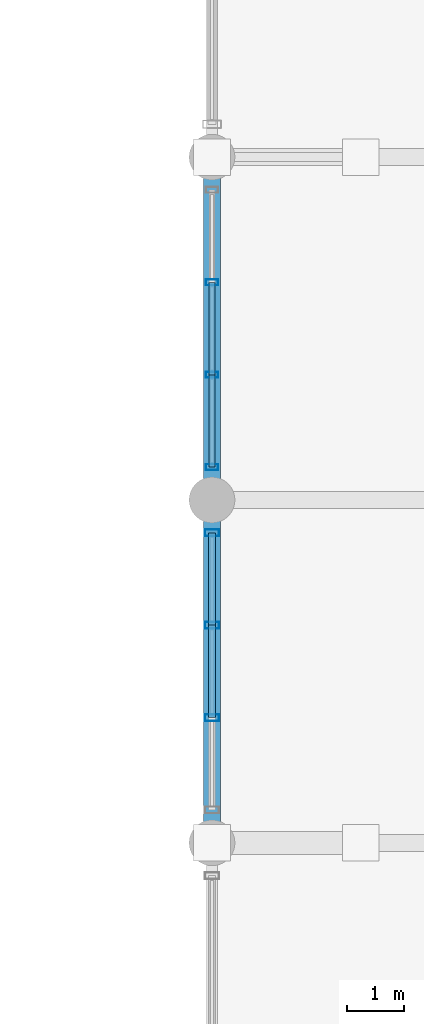
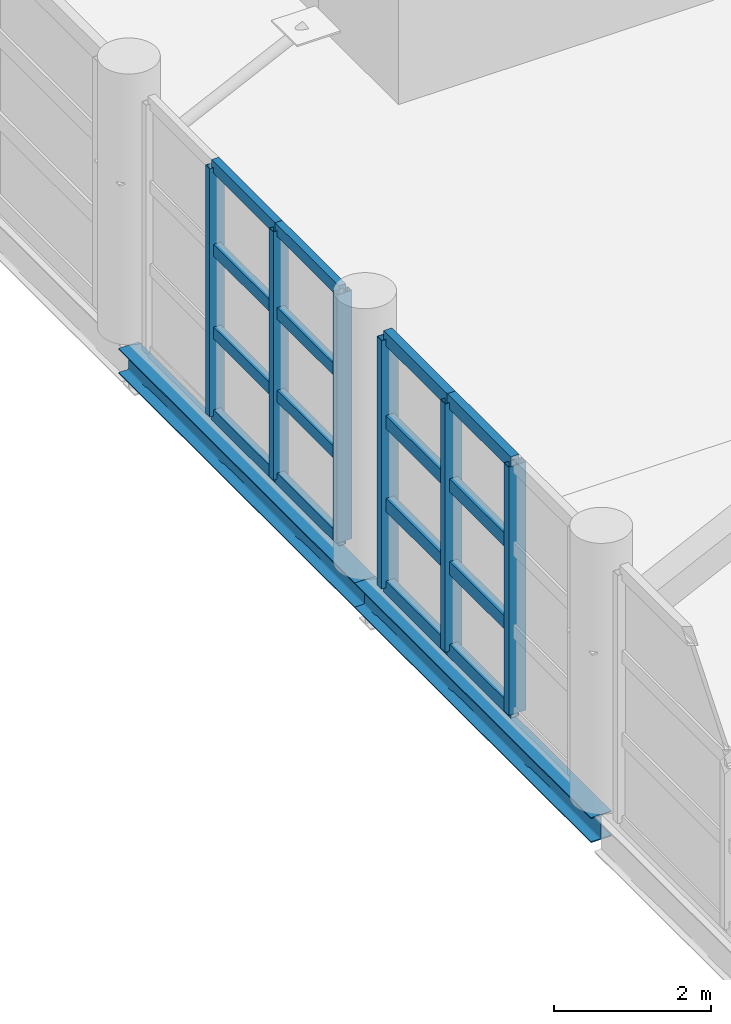
# One storey, part 12 of 136: 22 members, 2 beams, 2 elements without a shape of their own.
"""IFC4 building model written with IfcOpenShell, lengths in metres."""

from ifc_helpers import new_model, si_unit, direction, frame, origin, origin_2d, place, context, subcontext, project, spatial, hollow_rectangle, i_section, extrude, material, material_profile, profile_set, type_object, element, aggregate, save


model = new_model("IFC4")

# Units and contexts
model_context = context("Model", 3, precision=1e-05, world=origin(), true_north=direction((0.0, 1.0)))
body_context = subcontext(model_context, "Body", "Model", "MODEL_VIEW")
ifc_project = project(units=[si_unit("LENGTHUNIT", "METRE"), si_unit("AREAUNIT", "SQUARE_METRE"), si_unit("VOLUMEUNIT", "CUBIC_METRE"), si_unit("PLANEANGLEUNIT", "RADIAN"), si_unit("MASSUNIT", "GRAM", prefix="KILO")], contexts=[model_context])

# Site, building, storey
site_placement = place(None, origin())
site = spatial("IfcSite", under=ifc_project, at=site_placement, CompositionType="ELEMENT")
building_placement = place(site_placement, origin())
building = spatial("IfcBuilding", under=site, at=building_placement, Name="Chuanluo Vaults Station", CompositionType="ELEMENT")
storey_placement = place(building_placement, frame((0.0, 0.0, 6.60009765625)))
storey = spatial("IfcBuildingStorey", under=building, at=storey_placement, Name="L01", CompositionType="ELEMENT", Elevation=6.60009765625)

# Beams
ifc_material_1 = material(Name="Steel Q355C", Category="steel")
ifc_material_profile_1 = material_profile(ifc_material_1, i_section(OverallWidth=0.300048828125, OverallDepth=0.389892578125, WebThickness=0.010009765625, FlangeThickness=0.01611328125, FilletRadius=0.02001953125, at=origin_2d()))
ifc_profile_set_1 = profile_set([ifc_material_profile_1], Name="Steel Q355C")
beam_type = type_object("IfcBeamType", Name="BM-GRD-400", PredefinedType="BEAM", material=ifc_profile_set_1)
for number, where, z_axis, x_axis, name in (
    (1, (18.0, 30.0, -0.47509765625), (0.0, 1.0, 0.0), (-1.0, 0.0, 0.0), "Floor girder BM:GY:L01:0413"),
    (2, (18.0, 36.0, -0.47509765625), (0.0, 1.0, 0.0), (-1.0, 0.0, 0.0), "Floor girder BM:GY:L01:0414"),
):
    element("IfcBeam", number, at=place(storey_placement, frame(where, z_axis=z_axis, x_axis=x_axis)), inside=storey, type_object=beam_type, Name=name, PredefinedType="BEAM", context=body_context, shape_type="SweptSolid", body=[
        extrude(i_section(OverallWidth=0.300048828125, OverallDepth=0.389892578125, WebThickness=0.010009765625, FlangeThickness=0.01611328125, FilletRadius=0.02001953125, at=origin_2d()), origin(), (0.0, 0.0, 1.0), 6.0),
    ])

# Curtain wall, members
ifc_material_2 = material(Name="Anodised aluminium 6063-T6", Category="aluminium")
curtain_wall_type_1 = type_object("IfcCurtainWallType", Name="CW-SYS-04", PredefinedType="NOTDEFINED", material=ifc_material_2)
curtain_wall_1_placement = place(storey_placement, origin())
curtain_wall_1 = element("IfcCurtainWall", 3, at=curtain_wall_1_placement, inside=storey, type_object=curtain_wall_type_1, Name="Concourse west curtain wall 30 part 2", PredefinedType="NOTDEFINED")
ifc_material_3 = material(Name="Anodised aluminium 6063-T6", Category="aluminium")
ifc_material_profile_2 = material_profile(ifc_material_3, hollow_rectangle(XDim=0.10498046875, YDim=0.219970703125, WallThickness=0.006103515625, at=origin_2d()))
ifc_profile_set_2 = profile_set([ifc_material_profile_2], Name="Anodised aluminium 6063-T6")
member_type_1 = type_object("IfcMemberType", Name="CWM-140", PredefinedType="MULLION", material=ifc_profile_set_2)
member_1_placement = place(storey_placement, frame((18.0, 36.574951171875, 0.0), z_axis=(0.0, 0.0, 1.0), x_axis=(0.0, 1.0, 0.0)))
member_1 = element("IfcMember", 4, at=member_1_placement, type_object=member_type_1, Name="Concourse west curtain wall 30 part 2 mullion 1", PredefinedType="MULLION", context=body_context, shape_type="SweptSolid", body=[
    extrude(hollow_rectangle(XDim=0.10498046875, YDim=0.219970703125, WallThickness=0.006103515625, at=origin_2d()), origin(), (0.0, 0.0, 1.0), 3.849853515625),
])
member_2_placement = place(storey_placement, frame((18.0, 38.191650390625, 0.0), z_axis=(0.0, 0.0, 1.0), x_axis=(0.0, 1.0, 0.0)))
member_2 = element("IfcMember", 5, at=member_2_placement, type_object=member_type_1, Name="Concourse west curtain wall 30 part 2 mullion 2", PredefinedType="MULLION", context=body_context, shape_type="SweptSolid", body=[
    extrude(hollow_rectangle(XDim=0.10498046875, YDim=0.219970703125, WallThickness=0.006103515625, at=origin_2d()), origin(), (0.0, 0.0, 1.0), 3.849853515625),
])
member_3_placement = place(storey_placement, frame((18.0, 39.808349609375, 0.0), z_axis=(0.0, 0.0, 1.0), x_axis=(0.0, 1.0, 0.0)))
member_3 = element("IfcMember", 6, at=member_3_placement, type_object=member_type_1, Name="Concourse west curtain wall 30 part 2 mullion 3", PredefinedType="MULLION", context=body_context, shape_type="SweptSolid", body=[
    extrude(hollow_rectangle(XDim=0.10498046875, YDim=0.219970703125, WallThickness=0.006103515625, at=origin_2d()), origin(), (0.0, 0.0, 1.0), 3.849853515625),
])

ifc_material_4 = material(Name="Anodised aluminium 6063-T6", Category="aluminium")
curtain_wall_type_2 = type_object("IfcCurtainWallType", Name="CW-SYS-03", PredefinedType="NOTDEFINED", material=ifc_material_4)
curtain_wall_2_placement = place(storey_placement, origin())
curtain_wall_2 = element("IfcCurtainWall", 7, at=curtain_wall_2_placement, inside=storey, type_object=curtain_wall_type_2, Name="Concourse west curtain wall 30 part 1", PredefinedType="NOTDEFINED")
ifc_material_5 = material(Name="Anodised aluminium 6063-T6", Category="aluminium")
ifc_material_profile_3 = material_profile(ifc_material_5, hollow_rectangle(XDim=0.1201171875, YDim=0.25, WallThickness=0.006103515625, at=origin_2d()))
ifc_profile_set_3 = profile_set([ifc_material_profile_3], Name="Anodised aluminium 6063-T6")
member_type_2 = type_object("IfcMemberType", Name="CWM-160", PredefinedType="MULLION", material=ifc_profile_set_3)
member_4_placement = place(storey_placement, frame((18.0, 32.191650390625, 0.0), z_axis=(0.0, 0.0, 1.0), x_axis=(0.0, 1.0, 0.0)))
member_4 = element("IfcMember", 8, at=member_4_placement, type_object=member_type_2, Name="Concourse west curtain wall 30 part 1 mullion 2", PredefinedType="MULLION", context=body_context, shape_type="SweptSolid", body=[
    extrude(hollow_rectangle(XDim=0.1201171875, YDim=0.25, WallThickness=0.006103515625, at=origin_2d()), origin(), (0.0, 0.0, 1.0), 3.849853515625),
])
member_5_placement = place(storey_placement, frame((18.0, 33.808349609375, 0.0), z_axis=(0.0, 0.0, 1.0), x_axis=(0.0, 1.0, 0.0)))
member_5 = element("IfcMember", 9, at=member_5_placement, type_object=member_type_2, Name="Concourse west curtain wall 30 part 1 mullion 3", PredefinedType="MULLION", context=body_context, shape_type="SweptSolid", body=[
    extrude(hollow_rectangle(XDim=0.1201171875, YDim=0.25, WallThickness=0.006103515625, at=origin_2d()), origin(), (0.0, 0.0, 1.0), 3.849853515625),
])
member_6_placement = place(storey_placement, frame((18.0, 35.425048828125, 0.0), z_axis=(0.0, 0.0, 1.0), x_axis=(0.0, 1.0, 0.0)))
member_6 = element("IfcMember", 10, at=member_6_placement, type_object=member_type_2, Name="Concourse west curtain wall 30 part 1 mullion 4", PredefinedType="MULLION", context=body_context, shape_type="SweptSolid", body=[
    extrude(hollow_rectangle(XDim=0.1201171875, YDim=0.25, WallThickness=0.006103515625, at=origin_2d()), origin(), (0.0, 0.0, 1.0), 3.849853515625),
])

# Member
ifc_material_6 = material(Name="Anodised aluminium 6063-T6", Category="aluminium")
ifc_material_profile_4 = material_profile(ifc_material_6, hollow_rectangle(XDim=0.10498046875, YDim=0.18505859375, WallThickness=0.0048828125, at=origin_2d()))
ifc_profile_set_4 = profile_set([ifc_material_profile_4], Name="Anodised aluminium 6063-T6")
member_type_3 = type_object("IfcMemberType", Name="CWT-110", PredefinedType="USERDEFINED", material=ifc_profile_set_4)
member_7_placement = place(storey_placement, frame((18.0, 36.574951171875, 0.0), z_axis=(0.0, 1.0, 0.0), x_axis=(-1.0, 0.0, 0.0)))
member_7 = element("IfcMember", 11, at=member_7_placement, type_object=member_type_3, Name="Concourse west curtain wall 30 part 2 transom 1.1", ObjectType="TRANSOM", PredefinedType="USERDEFINED", context=body_context, shape_type="SweptSolid", body=[
    extrude(hollow_rectangle(XDim=0.10498046875, YDim=0.18505859375, WallThickness=0.0048828125, at=origin_2d()), origin(), (0.0, 0.0, 1.0), 1.61669921875),
])

member_8_placement = place(storey_placement, frame((18.0, 36.574951171875, 1.283203125), z_axis=(0.0, 1.0, 0.0), x_axis=(-1.0, 0.0, 0.0)))
member_8 = element("IfcMember", 12, at=member_8_placement, type_object=member_type_3, Name="Concourse west curtain wall 30 part 2 transom 1.2", ObjectType="TRANSOM", PredefinedType="USERDEFINED", context=body_context, shape_type="SweptSolid", body=[
    extrude(hollow_rectangle(XDim=0.10498046875, YDim=0.18505859375, WallThickness=0.0048828125, at=origin_2d()), origin(), (0.0, 0.0, 1.0), 1.61669921875),
])

member_9_placement = place(storey_placement, frame((18.0, 36.574951171875, 2.566650390625), z_axis=(0.0, 1.0, 0.0), x_axis=(-1.0, 0.0, 0.0)))
member_9 = element("IfcMember", 13, at=member_9_placement, type_object=member_type_3, Name="Concourse west curtain wall 30 part 2 transom 1.3", ObjectType="TRANSOM", PredefinedType="USERDEFINED", context=body_context, shape_type="SweptSolid", body=[
    extrude(hollow_rectangle(XDim=0.10498046875, YDim=0.18505859375, WallThickness=0.0048828125, at=origin_2d()), origin(), (0.0, 0.0, 1.0), 1.61669921875),
])

member_10_placement = place(storey_placement, frame((18.0, 36.574951171875, 3.849853515625), z_axis=(0.0, 1.0, 0.0), x_axis=(-1.0, 0.0, 0.0)))
member_10 = element("IfcMember", 14, at=member_10_placement, type_object=member_type_3, Name="Concourse west curtain wall 30 part 2 transom 1.4", ObjectType="TRANSOM", PredefinedType="USERDEFINED", context=body_context, shape_type="SweptSolid", body=[
    extrude(hollow_rectangle(XDim=0.10498046875, YDim=0.18505859375, WallThickness=0.0048828125, at=origin_2d()), origin(), (0.0, 0.0, 1.0), 1.61669921875),
])

member_11_placement = place(storey_placement, frame((18.0, 38.191650390625, 0.0), z_axis=(0.0, 1.0, 0.0), x_axis=(-1.0, 0.0, 0.0)))
member_11 = element("IfcMember", 15, at=member_11_placement, type_object=member_type_3, Name="Concourse west curtain wall 30 part 2 transom 2.1", ObjectType="TRANSOM", PredefinedType="USERDEFINED", context=body_context, shape_type="SweptSolid", body=[
    extrude(hollow_rectangle(XDim=0.10498046875, YDim=0.18505859375, WallThickness=0.0048828125, at=origin_2d()), origin(), (0.0, 0.0, 1.0), 1.61669921875),
])

member_12_placement = place(storey_placement, frame((18.0, 38.191650390625, 1.283203125), z_axis=(0.0, 1.0, 0.0), x_axis=(-1.0, 0.0, 0.0)))
member_12 = element("IfcMember", 16, at=member_12_placement, type_object=member_type_3, Name="Concourse west curtain wall 30 part 2 transom 2.2", ObjectType="TRANSOM", PredefinedType="USERDEFINED", context=body_context, shape_type="SweptSolid", body=[
    extrude(hollow_rectangle(XDim=0.10498046875, YDim=0.18505859375, WallThickness=0.0048828125, at=origin_2d()), origin(), (0.0, 0.0, 1.0), 1.61669921875),
])

member_13_placement = place(storey_placement, frame((18.0, 38.191650390625, 2.566650390625), z_axis=(0.0, 1.0, 0.0), x_axis=(-1.0, 0.0, 0.0)))
member_13 = element("IfcMember", 17, at=member_13_placement, type_object=member_type_3, Name="Concourse west curtain wall 30 part 2 transom 2.3", ObjectType="TRANSOM", PredefinedType="USERDEFINED", context=body_context, shape_type="SweptSolid", body=[
    extrude(hollow_rectangle(XDim=0.10498046875, YDim=0.18505859375, WallThickness=0.0048828125, at=origin_2d()), origin(), (0.0, 0.0, 1.0), 1.61669921875),
])

member_14_placement = place(storey_placement, frame((18.0, 38.191650390625, 3.849853515625), z_axis=(0.0, 1.0, 0.0), x_axis=(-1.0, 0.0, 0.0)))
member_14 = element("IfcMember", 18, at=member_14_placement, type_object=member_type_3, Name="Concourse west curtain wall 30 part 2 transom 2.4", ObjectType="TRANSOM", PredefinedType="USERDEFINED", context=body_context, shape_type="SweptSolid", body=[
    extrude(hollow_rectangle(XDim=0.10498046875, YDim=0.18505859375, WallThickness=0.0048828125, at=origin_2d()), origin(), (0.0, 0.0, 1.0), 1.61669921875),
])

aggregate(curtain_wall_1, [member_1, member_2, member_3, member_7, member_8, member_9, member_10, member_11, member_12, member_13, member_14])

ifc_material_7 = material(Name="Anodised aluminium 6063-T6", Category="aluminium")
ifc_material_profile_5 = material_profile(ifc_material_7, hollow_rectangle(XDim=0.1201171875, YDim=0.205078125, WallThickness=0.006103515625, at=origin_2d()))
ifc_profile_set_5 = profile_set([ifc_material_profile_5], Name="Anodised aluminium 6063-T6")
member_type_4 = type_object("IfcMemberType", Name="CWT-130", PredefinedType="USERDEFINED", material=ifc_profile_set_5)
member_15_placement = place(storey_placement, frame((18.0, 32.191650390625, 0.0), z_axis=(0.0, 1.0, 0.0), x_axis=(-1.0, 0.0, 0.0)))
member_15 = element("IfcMember", 19, at=member_15_placement, type_object=member_type_4, Name="Concourse west curtain wall 30 part 1 transom 2.1", ObjectType="TRANSOM", PredefinedType="USERDEFINED", context=body_context, shape_type="SweptSolid", body=[
    extrude(hollow_rectangle(XDim=0.1201171875, YDim=0.205078125, WallThickness=0.006103515625, at=origin_2d()), origin(), (0.0, 0.0, 1.0), 1.61669921875),
])

member_16_placement = place(storey_placement, frame((18.0, 32.191650390625, 1.283203125), z_axis=(0.0, 1.0, 0.0), x_axis=(-1.0, 0.0, 0.0)))
member_16 = element("IfcMember", 20, at=member_16_placement, type_object=member_type_4, Name="Concourse west curtain wall 30 part 1 transom 2.2", ObjectType="TRANSOM", PredefinedType="USERDEFINED", context=body_context, shape_type="SweptSolid", body=[
    extrude(hollow_rectangle(XDim=0.1201171875, YDim=0.205078125, WallThickness=0.006103515625, at=origin_2d()), origin(), (0.0, 0.0, 1.0), 1.61669921875),
])

member_17_placement = place(storey_placement, frame((18.0, 32.191650390625, 2.566650390625), z_axis=(0.0, 1.0, 0.0), x_axis=(-1.0, 0.0, 0.0)))
member_17 = element("IfcMember", 21, at=member_17_placement, type_object=member_type_4, Name="Concourse west curtain wall 30 part 1 transom 2.3", ObjectType="TRANSOM", PredefinedType="USERDEFINED", context=body_context, shape_type="SweptSolid", body=[
    extrude(hollow_rectangle(XDim=0.1201171875, YDim=0.205078125, WallThickness=0.006103515625, at=origin_2d()), origin(), (0.0, 0.0, 1.0), 1.61669921875),
])

member_18_placement = place(storey_placement, frame((18.0, 32.191650390625, 3.849853515625), z_axis=(0.0, 1.0, 0.0), x_axis=(-1.0, 0.0, 0.0)))
member_18 = element("IfcMember", 22, at=member_18_placement, type_object=member_type_4, Name="Concourse west curtain wall 30 part 1 transom 2.4", ObjectType="TRANSOM", PredefinedType="USERDEFINED", context=body_context, shape_type="SweptSolid", body=[
    extrude(hollow_rectangle(XDim=0.1201171875, YDim=0.205078125, WallThickness=0.006103515625, at=origin_2d()), origin(), (0.0, 0.0, 1.0), 1.61669921875),
])

member_19_placement = place(storey_placement, frame((18.0, 33.808349609375, 0.0), z_axis=(0.0, 1.0, 0.0), x_axis=(-1.0, 0.0, 0.0)))
member_19 = element("IfcMember", 23, at=member_19_placement, type_object=member_type_4, Name="Concourse west curtain wall 30 part 1 transom 3.1", ObjectType="TRANSOM", PredefinedType="USERDEFINED", context=body_context, shape_type="SweptSolid", body=[
    extrude(hollow_rectangle(XDim=0.1201171875, YDim=0.205078125, WallThickness=0.006103515625, at=origin_2d()), origin(), (0.0, 0.0, 1.0), 1.61669921875),
])

member_20_placement = place(storey_placement, frame((18.0, 33.808349609375, 1.283203125), z_axis=(0.0, 1.0, 0.0), x_axis=(-1.0, 0.0, 0.0)))
member_20 = element("IfcMember", 24, at=member_20_placement, type_object=member_type_4, Name="Concourse west curtain wall 30 part 1 transom 3.2", ObjectType="TRANSOM", PredefinedType="USERDEFINED", context=body_context, shape_type="SweptSolid", body=[
    extrude(hollow_rectangle(XDim=0.1201171875, YDim=0.205078125, WallThickness=0.006103515625, at=origin_2d()), origin(), (0.0, 0.0, 1.0), 1.61669921875),
])

member_21_placement = place(storey_placement, frame((18.0, 33.808349609375, 2.566650390625), z_axis=(0.0, 1.0, 0.0), x_axis=(-1.0, 0.0, 0.0)))
member_21 = element("IfcMember", 25, at=member_21_placement, type_object=member_type_4, Name="Concourse west curtain wall 30 part 1 transom 3.3", ObjectType="TRANSOM", PredefinedType="USERDEFINED", context=body_context, shape_type="SweptSolid", body=[
    extrude(hollow_rectangle(XDim=0.1201171875, YDim=0.205078125, WallThickness=0.006103515625, at=origin_2d()), origin(), (0.0, 0.0, 1.0), 1.61669921875),
])

member_22_placement = place(storey_placement, frame((18.0, 33.808349609375, 3.849853515625), z_axis=(0.0, 1.0, 0.0), x_axis=(-1.0, 0.0, 0.0)))
member_22 = element("IfcMember", 26, at=member_22_placement, type_object=member_type_4, Name="Concourse west curtain wall 30 part 1 transom 3.4", ObjectType="TRANSOM", PredefinedType="USERDEFINED", context=body_context, shape_type="SweptSolid", body=[
    extrude(hollow_rectangle(XDim=0.1201171875, YDim=0.205078125, WallThickness=0.006103515625, at=origin_2d()), origin(), (0.0, 0.0, 1.0), 1.61669921875),
])

aggregate(curtain_wall_2, [member_4, member_5, member_6, member_15, member_16, member_17, member_18, member_19, member_20, member_21, member_22])

save(model, "model.ifc")
